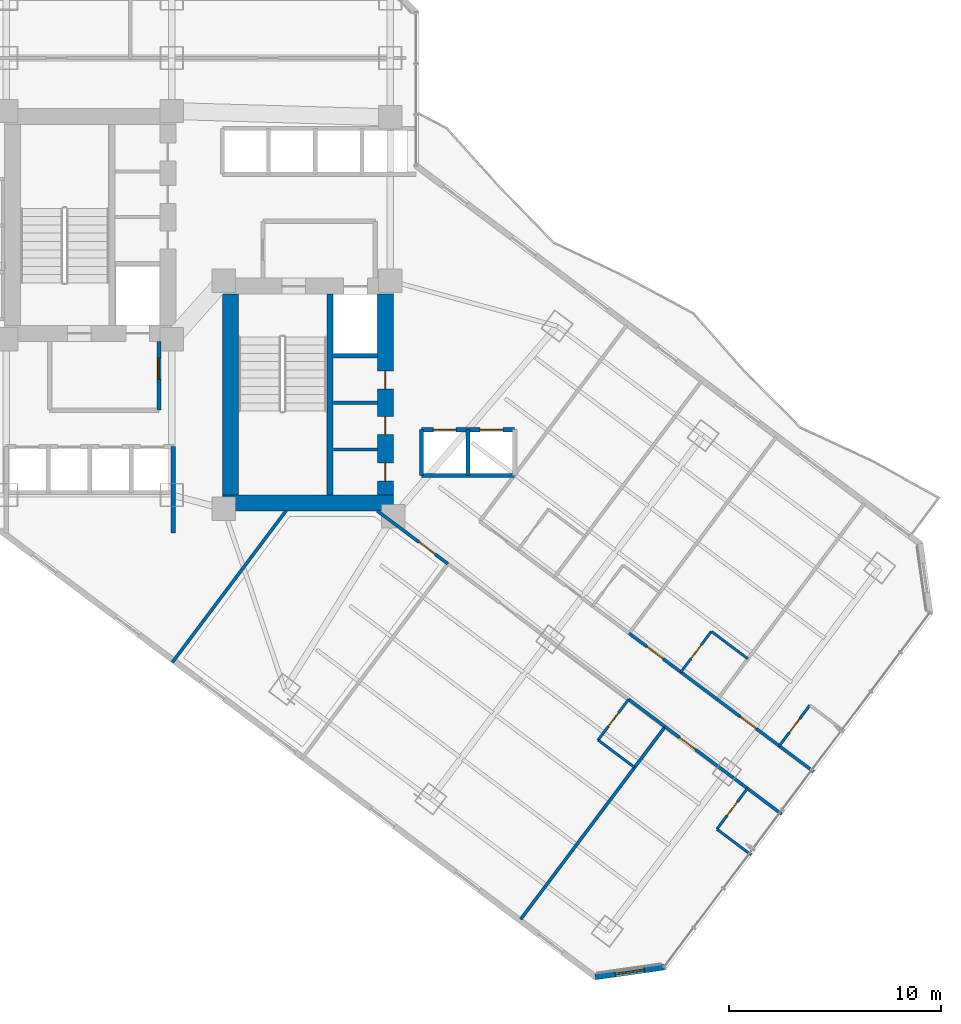
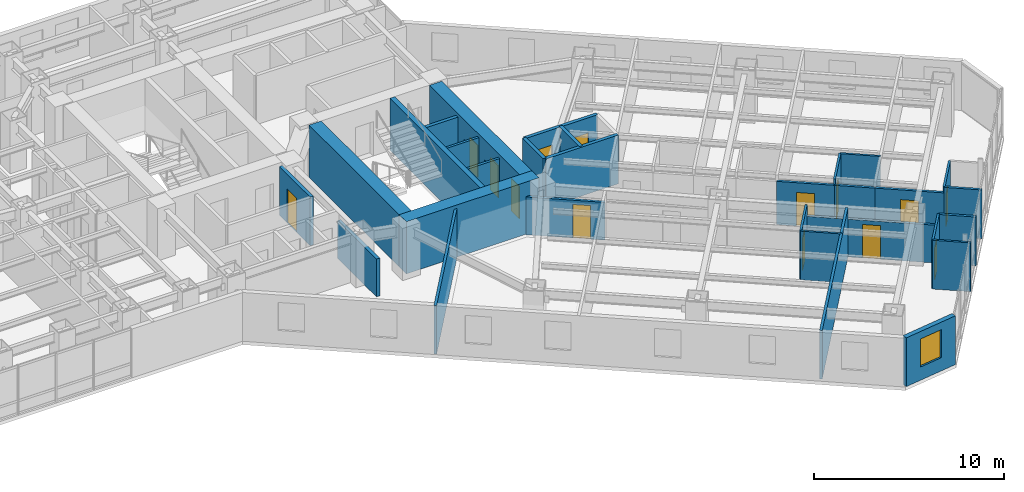
# One storey, part 24 of 38: 31 walls, 14 doors, 1 window, 15 openings.
"""IFC4 building model written with IfcOpenShell, lengths in metres."""

from ifc_helpers import new_model, si_unit, direction, frame, frame_2d, origin, place, context, subcontext, project, spatial, rectangle, extrude, material, layer, layer_set, type_object, element, fill, save


model = new_model("IFC4")

# Units and contexts
model_context = context("Model", 3, precision=1e-05, world=origin(), true_north=direction((0.0, 1.0)))
body_context = subcontext(model_context, "Body", "Model", "MODEL_VIEW")
ifc_project = project(units=[si_unit("LENGTHUNIT", "METRE"), si_unit("AREAUNIT", "SQUARE_METRE"), si_unit("VOLUMEUNIT", "CUBIC_METRE"), si_unit("PLANEANGLEUNIT", "RADIAN"), si_unit("MASSUNIT", "GRAM", prefix="KILO")], contexts=[model_context])

# Site, building, storey
site_placement = place(None, origin())
site = spatial("IfcSite", under=ifc_project, at=site_placement, CompositionType="ELEMENT")
building_placement = place(site_placement, origin())
building = spatial("IfcBuilding", under=site, at=building_placement, Name="Hatsunagi Terrace Concourse", CompositionType="ELEMENT")
storey_placement = place(building_placement, frame((0.0, 0.0, 60.050048828125)))
storey = spatial("IfcBuildingStorey", under=building, at=storey_placement, Name="L15", CompositionType="ELEMENT", Elevation=60.050048828125)

# Walls
ifc_material_1 = material(Name="Concrete Fc60", Category="concrete")
ifc_layer_1 = layer(ifc_material_1, 0.75)
ifc_layer_set_1 = layer_set([ifc_layer_1], Name="CoreShearWall_Fc60_750")
wall_type_1 = type_object("IfcWallType", Name="CoreShearWall_Fc60_750", PredefinedType="SHEAR", material=ifc_layer_set_1)
wall_1_placement = place(storey_placement, frame((35.739990234375, 24.81494140625, 0.0), z_axis=(0.0, 0.0, 1.0), x_axis=(1.0, 0.0, 0.0)))
element("IfcWall", 1, at=wall_1_placement, inside=storey, type_object=wall_type_1, Name="Core B Shear Wall S L15", PredefinedType="SHEAR", context=body_context, shape_type="SweptSolid", body=[
    extrude(rectangle(XDim=8.06005859375, YDim=0.75, at=frame_2d((4.030029296875, 0.0))), origin(), (0.0, 0.0, 1.0), 3.349853515625),
])
wall_2_placement = place(storey_placement, frame((36.114990234375, 25.18994140625, 0.0), z_axis=(0.0, 0.0, 1.0), x_axis=(0.0, 1.0, 0.0)))
element("IfcWall", 2, at=wall_2_placement, inside=storey, type_object=wall_type_1, Name="Core B Shear Wall W L15", PredefinedType="SHEAR", context=body_context, shape_type="SweptSolid", body=[
    extrude(rectangle(XDim=9.47998046875, YDim=0.75, at=frame_2d((4.739990234375, 0.0))), origin(), (0.0, 0.0, 1.0), 3.349853515625),
])

# Wall, openings, doors
wall_3_placement = place(storey_placement, frame((43.425048828125, 25.18994140625, 0.0), z_axis=(0.0, 0.0, 1.0), x_axis=(0.0, 1.0, 0.0)))
wall_3 = element("IfcWall", 3, at=wall_3_placement, inside=storey, type_object=wall_type_1, Name="Core B Shear Wall E L15", PredefinedType="SHEAR", context=body_context, shape_type="SweptSolid", body=[
    extrude(rectangle(XDim=9.47998046875, YDim=0.75, at=frame_2d((4.739990234375, 0.0))), origin(), (0.0, 0.0, 1.0), 3.349853515625),
])
opening_1_placement = place(wall_3_placement, frame((0.659912109375, 0.0, 0.0)))
opening_1 = element("IfcOpeningElement", 4, at=opening_1_placement, cuts=wall_3, Name="Opening DR-085", PredefinedType="OPENING", context=body_context, shape_type="SweptSolid", body=[
    extrude(rectangle(XDim=0.85009765625, YDim=2.080078125, at=frame_2d((0.425048828125, 1.0400390625))), frame((0.0, 0.385009765625, 0.0), z_axis=(0.0, -1.0, 0.0), x_axis=(1.0, 0.0, 0.0)), (0.0, 0.0, 1.0), 0.77001953125),
])
opening_2_placement = place(wall_3_placement, frame((2.860107421875, 0.0, 0.0)))
opening_2 = element("IfcOpeningElement", 5, at=opening_2_placement, cuts=wall_3, Name="Opening DR-085", PredefinedType="OPENING", context=body_context, shape_type="SweptSolid", body=[
    extrude(rectangle(XDim=0.85009765625, YDim=2.080078125, at=frame_2d((0.425048828125, 1.0400390625))), frame((0.0, 0.385009765625, 0.0), z_axis=(0.0, -1.0, 0.0), x_axis=(1.0, 0.0, 0.0)), (0.0, 0.0, 1.0), 0.77001953125),
])
opening_3_placement = place(wall_3_placement, frame((5.010009765625, 0.0, 0.0)))
opening_3 = element("IfcOpeningElement", 6, at=opening_3_placement, cuts=wall_3, Name="Opening DR-085", PredefinedType="OPENING", context=body_context, shape_type="SweptSolid", body=[
    extrude(rectangle(XDim=0.85009765625, YDim=2.080078125, at=frame_2d((0.425048828125, 1.0400390625))), frame((0.0, 0.385009765625, 0.0), z_axis=(0.0, -1.0, 0.0), x_axis=(1.0, 0.0, 0.0)), (0.0, 0.0, 1.0), 0.77001953125),
])
ifc_material_2 = material(Name="Painted steel", Category="steel")
door_type_1 = type_object("IfcDoorType", Name="RiserAccessDoor_EI60_850", OperationType="NOTDEFINED", PredefinedType="DOOR", material=ifc_material_2)
door_1_placement = place(opening_1_placement, origin())
door_1 = element("IfcDoor", 7, at=door_1_placement, inside=storey, type_object=door_type_1, Name="Core B Riser Door L15-1", OperationType="SINGLE_SWING_RIGHT", OverallHeight=2.080078125, OverallWidth=0.85009765625, PredefinedType="DOOR", context=body_context, shape_type="SweptSolid", body=[
    extrude(rectangle(XDim=0.85009765625, YDim=2.080078125, at=frame_2d((0.425048828125, 1.0400390625))), frame((0.0, 0.02490234375, 0.0), z_axis=(0.0, -1.0, 0.0), x_axis=(1.0, 0.0, 0.0)), (0.0, 0.0, 1.0), 0.050048828125),
])
fill(opening_1, door_1)
door_2_placement = place(opening_2_placement, origin())
door_2 = element("IfcDoor", 8, at=door_2_placement, inside=storey, type_object=door_type_1, Name="Core B Riser Door L15-2", OperationType="SINGLE_SWING_RIGHT", OverallHeight=2.080078125, OverallWidth=0.85009765625, PredefinedType="DOOR", context=body_context, shape_type="SweptSolid", body=[
    extrude(rectangle(XDim=0.85009765625, YDim=2.080078125, at=frame_2d((0.425048828125, 1.0400390625))), frame((0.0, 0.02490234375, 0.0), z_axis=(0.0, -1.0, 0.0), x_axis=(1.0, 0.0, 0.0)), (0.0, 0.0, 1.0), 0.050048828125),
])
fill(opening_2, door_2)
door_3_placement = place(opening_3_placement, origin())
door_3 = element("IfcDoor", 9, at=door_3_placement, inside=storey, type_object=door_type_1, Name="Core B Riser Door L15-3", OperationType="SINGLE_SWING_RIGHT", OverallHeight=2.080078125, OverallWidth=0.85009765625, PredefinedType="DOOR", context=body_context, shape_type="SweptSolid", body=[
    extrude(rectangle(XDim=0.85009765625, YDim=2.080078125, at=frame_2d((0.425048828125, 1.0400390625))), frame((0.0, 0.02490234375, 0.0), z_axis=(0.0, -1.0, 0.0), x_axis=(1.0, 0.0, 0.0)), (0.0, 0.0, 1.0), 0.050048828125),
])
fill(opening_3, door_3)

# Wall
ifc_material_3 = material(Name="Concrete Fc48", Category="concrete")
ifc_layer_2 = layer(ifc_material_3, 0.300048828125)
ifc_layer_set_2 = layer_set([ifc_layer_2], Name="CoreStairDivider_Fc48_300")
wall_type_2 = type_object("IfcWallType", Name="CoreStairDivider_Fc48_300", PredefinedType="SHEAR", material=ifc_layer_set_2)
wall_4_placement = place(storey_placement, frame((40.81005859375, 25.18994140625, 0.0), z_axis=(0.0, 0.0, 1.0), x_axis=(0.0, 1.0, 0.0)))
element("IfcWall", 10, at=wall_4_placement, inside=storey, type_object=wall_type_2, Name="Core B Shear Wall D L15", PredefinedType="SHEAR", context=body_context, shape_type="SweptSolid", body=[
    extrude(rectangle(XDim=9.47998046875, YDim=0.300048828125, at=frame_2d((4.739990234375, 0.0))), origin(), (0.0, 0.0, 1.0), 3.349853515625),
])

# Wall, opening, door
ifc_material_4 = material(Name="Acoustic mineral board", Category="gypsum")
ifc_layer_3 = layer(ifc_material_4, 0.1201171875)
ifc_layer_set_3 = layer_set([ifc_layer_3], Name="PartitionWall_EI30_120")
wall_type_3 = type_object("IfcWallType", Name="PartitionWall_EI30_120", PredefinedType="PARTITIONING", material=ifc_layer_set_3)
wall_5_placement = place(storey_placement, frame((57.35009765625, 16.85009765625, 0.0), z_axis=(0.0, 0.0, 1.0), x_axis=(0.6, 0.8, 0.0)))
wall_5 = element("IfcWall", 11, at=wall_5_placement, inside=storey, type_object=wall_type_3, Name="Interior Partition IW-L15-096", PredefinedType="PARTITIONING", context=body_context, shape_type="SweptSolid", body=[
    extrude(rectangle(XDim=2.39990234375, YDim=0.1201171875, at=frame_2d((1.199951171875, 0.0))), origin(), (0.0, 0.0, 1.0), 3.1298828125),
])
opening_4_placement = place(wall_5_placement, frame((0.800048828125, 0.0, 0.0)))
opening_4 = element("IfcOpeningElement", 12, at=opening_4_placement, cuts=wall_5, Name="Opening DR-080", PredefinedType="OPENING", context=body_context, shape_type="SweptSolid", body=[
    extrude(rectangle(XDim=0.800048828125, YDim=2.06005859375, at=frame_2d((0.39990234375, 1.030029296875))), frame((0.0, 0.070068359375, 0.0), z_axis=(0.0, -1.0, 0.0), x_axis=(1.0, 0.0, 0.0)), (0.0, 0.0, 1.0), 0.14013671875),
])
ifc_material_5 = material(Name="Hardwood timber", Category="wood")
door_type_2 = type_object("IfcDoorType", Name="BathroomDoor_800", OperationType="NOTDEFINED", PredefinedType="DOOR", material=ifc_material_5)
door_4_placement = place(opening_4_placement, origin())
door_4 = element("IfcDoor", 13, at=door_4_placement, inside=storey, type_object=door_type_2, Name="En-Suite Bathroom L15-SENE3 Door", OperationType="SINGLE_SWING_LEFT", OverallHeight=2.06005859375, OverallWidth=0.800048828125, PredefinedType="DOOR", context=body_context, shape_type="SweptSolid", body=[
    extrude(rectangle(XDim=0.800048828125, YDim=2.06005859375, at=frame_2d((0.39990234375, 1.030029296875))), frame((0.0, 0.02490234375, 0.0), z_axis=(0.0, -1.0, 0.0), x_axis=(1.0, 0.0, 0.0)), (0.0, 0.0, 1.0), 0.050048828125),
])
fill(opening_4, door_4)

# Wall
wall_6_placement = place(storey_placement, frame((58.7900390625, 18.77001953125, 0.0), z_axis=(0.0, 0.0, 1.0), x_axis=(0.79998637334, -0.60001816845, 0.0)))
element("IfcWall", 14, at=wall_6_placement, inside=storey, type_object=wall_type_3, Name="Interior Partition IW-L15-097", PredefinedType="PARTITIONING", context=body_context, shape_type="SweptSolid", body=[
    extrude(rectangle(XDim=2.14990234375, YDim=0.1201171875, at=frame_2d((1.074951171875, 0.0))), origin(), (0.0, 0.0, 1.0), 3.1298828125),
])

# Wall, opening, door
wall_7_placement = place(storey_placement, frame((61.989990234375, 13.3701171875, 0.0), z_axis=(0.0, 0.0, 1.0), x_axis=(0.6, 0.8, 0.0)))
wall_7 = element("IfcWall", 15, at=wall_7_placement, inside=storey, type_object=wall_type_3, Name="Interior Partition IW-L15-101", PredefinedType="PARTITIONING", context=body_context, shape_type="SweptSolid", body=[
    extrude(rectangle(XDim=2.39990234375, YDim=0.1201171875, at=frame_2d((1.199951171875, 0.0))), origin(), (0.0, 0.0, 1.0), 3.1298828125),
])
opening_5_placement = place(wall_7_placement, frame((0.800048828125, 0.0, 0.0)))
opening_5 = element("IfcOpeningElement", 16, at=opening_5_placement, cuts=wall_7, Name="Opening DR-080", PredefinedType="OPENING", context=body_context, shape_type="SweptSolid", body=[
    extrude(rectangle(XDim=0.800048828125, YDim=2.06005859375, at=frame_2d((0.39990234375, 1.030029296875))), frame((0.0, 0.070068359375, 0.0), z_axis=(0.0, -1.0, 0.0), x_axis=(1.0, 0.0, 0.0)), (0.0, 0.0, 1.0), 0.14013671875),
])
door_5_placement = place(opening_5_placement, origin())
door_5 = element("IfcDoor", 17, at=door_5_placement, inside=storey, type_object=door_type_2, Name="En-Suite Bathroom L15-SENE4 Door", OperationType="SINGLE_SWING_RIGHT", OverallHeight=2.06005859375, OverallWidth=0.800048828125, PredefinedType="DOOR", context=body_context, shape_type="SweptSolid", body=[
    extrude(rectangle(XDim=0.800048828125, YDim=2.06005859375, at=frame_2d((0.39990234375, 1.030029296875))), frame((0.0, 0.02490234375, 0.0), z_axis=(0.0, -1.0, 0.0), x_axis=(1.0, 0.0, 0.0)), (0.0, 0.0, 1.0), 0.050048828125),
])
fill(opening_5, door_5)

wall_8_placement = place(storey_placement, frame((53.449951171875, 13.64990234375, 0.0), z_axis=(0.0, 0.0, 1.0), x_axis=(0.599951172744, 0.800036618114, 0.0)))
wall_8 = element("IfcWall", 18, at=wall_8_placement, inside=storey, type_object=wall_type_3, Name="Interior Partition IW-L15-105", PredefinedType="PARTITIONING", context=body_context, shape_type="SweptSolid", body=[
    extrude(rectangle(XDim=2.400146484375, YDim=0.1201171875, at=frame_2d((1.2001953125, 0.0))), origin(), (0.0, 0.0, 1.0), 3.1298828125),
])
opening_6_placement = place(wall_8_placement, frame((0.800048828125, 0.0, 0.0)))
opening_6 = element("IfcOpeningElement", 19, at=opening_6_placement, cuts=wall_8, Name="Opening DR-080", PredefinedType="OPENING", context=body_context, shape_type="SweptSolid", body=[
    extrude(rectangle(XDim=0.800048828125, YDim=2.06005859375, at=frame_2d((0.39990234375, 1.030029296875))), frame((0.0, 0.070068359375, 0.0), z_axis=(0.0, -1.0, 0.0), x_axis=(1.0, 0.0, 0.0)), (0.0, 0.0, 1.0), 0.14013671875),
])
door_6_placement = place(opening_6_placement, origin())
door_6 = element("IfcDoor", 20, at=door_6_placement, inside=storey, type_object=door_type_2, Name="En-Suite Bathroom L15-SESW1 Door", OperationType="SINGLE_SWING_RIGHT", OverallHeight=2.06005859375, OverallWidth=0.800048828125, PredefinedType="DOOR", context=body_context, shape_type="SweptSolid", body=[
    extrude(rectangle(XDim=0.800048828125, YDim=2.06005859375, at=frame_2d((0.39990234375, 1.030029296875))), frame((0.0, 0.02490234375, 0.0), z_axis=(0.0, -1.0, 0.0), x_axis=(1.0, 0.0, 0.0)), (0.0, 0.0, 1.0), 0.050048828125),
])
fill(opening_6, door_6)

# Wall
wall_9_placement = place(storey_placement, frame((53.449951171875, 13.64990234375, 0.0), z_axis=(0.0, 0.0, 1.0), x_axis=(0.800040880289, -0.59994548908, 0.0)))
element("IfcWall", 21, at=wall_9_placement, inside=storey, type_object=wall_type_3, Name="Interior Partition IW-L15-106", PredefinedType="PARTITIONING", context=body_context, shape_type="SweptSolid", body=[
    extrude(rectangle(XDim=2.14990234375, YDim=0.1201171875, at=frame_2d((1.074951171875, 0.0))), origin(), (0.0, 0.0, 1.0), 3.1298828125),
])

# Wall, opening, door
wall_10_placement = place(storey_placement, frame((59.050048828125, 9.449951171875, 0.0), z_axis=(0.0, 0.0, 1.0), x_axis=(0.599951172744, 0.800036618114, 0.0)))
wall_10 = element("IfcWall", 22, at=wall_10_placement, inside=storey, type_object=wall_type_3, Name="Interior Partition IW-L15-110", PredefinedType="PARTITIONING", context=body_context, shape_type="SweptSolid", body=[
    extrude(rectangle(XDim=2.400146484375, YDim=0.1201171875, at=frame_2d((1.2001953125, 0.0))), origin(), (0.0, 0.0, 1.0), 3.1298828125),
])
opening_7_placement = place(wall_10_placement, frame((0.800048828125, 0.0, 0.0)))
opening_7 = element("IfcOpeningElement", 23, at=opening_7_placement, cuts=wall_10, Name="Opening DR-080", PredefinedType="OPENING", context=body_context, shape_type="SweptSolid", body=[
    extrude(rectangle(XDim=0.800048828125, YDim=2.06005859375, at=frame_2d((0.39990234375, 1.030029296875))), frame((0.0, 0.070068359375, 0.0), z_axis=(0.0, -1.0, 0.0), x_axis=(1.0, 0.0, 0.0)), (0.0, 0.0, 1.0), 0.14013671875),
])
door_7_placement = place(opening_7_placement, origin())
door_7 = element("IfcDoor", 24, at=door_7_placement, inside=storey, type_object=door_type_2, Name="En-Suite Bathroom L15-SESW2 Door", OperationType="SINGLE_SWING_RIGHT", OverallHeight=2.06005859375, OverallWidth=0.800048828125, PredefinedType="DOOR", context=body_context, shape_type="SweptSolid", body=[
    extrude(rectangle(XDim=0.800048828125, YDim=2.06005859375, at=frame_2d((0.39990234375, 1.030029296875))), frame((0.0, 0.02490234375, 0.0), z_axis=(0.0, -1.0, 0.0), x_axis=(1.0, 0.0, 0.0)), (0.0, 0.0, 1.0), 0.050048828125),
])
fill(opening_7, door_7)

# Walls
wall_11_placement = place(storey_placement, frame((59.050048828125, 9.449951171875, 0.0), z_axis=(0.0, 0.0, 1.0), x_axis=(0.79997084737, -0.600038868206, 0.0)))
element("IfcWall", 25, at=wall_11_placement, inside=storey, type_object=wall_type_3, Name="Interior Partition IW-L15-111", PredefinedType="PARTITIONING", context=body_context, shape_type="SweptSolid", body=[
    extrude(rectangle(XDim=2.010009765625, YDim=0.1201171875, at=frame_2d((1.0048828125, 0.0))), origin(), (0.0, 0.0, 1.0), 3.1298828125),
])
ifc_material_6 = material(Name="Acoustic mineral board", Category="gypsum")
ifc_layer_4 = layer(ifc_material_6, 0.14990234375)
ifc_layer_set_4 = layer_set([ifc_layer_4], Name="PartitionWall_EI60_150")
wall_type_4 = type_object("IfcWallType", Name="PartitionWall_EI60_150", PredefinedType="PARTITIONING", material=ifc_layer_set_4)
for number, where, z_axis, x_axis, name in (
    (26, (40.969970703125, 27.35009765625, 0.0), (0.0, 0.0, 1.0), (1.0, 0.0, 0.0), "Interior Partition IW-L15-005"),
    (27, (40.969970703125, 29.550048828125, 0.0), (0.0, 0.0, 1.0), (1.0, 0.0, 0.0), "Interior Partition IW-L15-006"),
):
    element("IfcWall", number, at=place(storey_placement, frame(where, z_axis=z_axis, x_axis=x_axis)), inside=storey, type_object=wall_type_4, Name=name, PredefinedType="PARTITIONING", context=body_context, shape_type="SweptSolid", body=[
        extrude(rectangle(XDim=2.080078125, YDim=0.14990234375, at=frame_2d((1.0400390625, 0.0))), origin(), (0.0, 0.0, 1.0), 3.1298828125),
    ])

# Wall, opening, door
wall_12_placement = place(storey_placement, frame((43.037109375, 24.4599609375, 0.0), z_axis=(0.0, 0.0, 1.0), x_axis=(0.799971872363, -0.600037501685, 0.0)))
wall_12 = element("IfcWall", 28, at=wall_12_placement, inside=storey, type_object=wall_type_4, Name="Interior Partition IW-L15-043", PredefinedType="PARTITIONING", context=body_context, shape_type="SweptSolid", body=[
    extrude(rectangle(XDim=4.16650390625, YDim=0.14990234375, at=frame_2d((2.083251953125, 0.0))), origin(), (0.0, 0.0, 1.0), 2.425048828125),
])
opening_8_placement = place(wall_12_placement, frame((2.468017578125, 0.0, 0.0)))
opening_8 = element("IfcOpeningElement", 29, at=opening_8_placement, cuts=wall_12, Name="Opening DR-095", PredefinedType="OPENING", context=body_context, shape_type="SweptSolid", body=[
    extrude(rectangle(XDim=0.949951171875, YDim=2.14990234375, at=frame_2d((0.47509765625, 1.074951171875))), frame((0.0, 0.0849609375, 0.0), z_axis=(0.0, -1.0, 0.0), x_axis=(1.0, 0.0, 0.0)), (0.0, 0.0, 1.0), 0.169921875),
])
ifc_material_7 = material(Name="Hardwood timber", Category="wood")
door_type_3 = type_object("IfcDoorType", Name="InteriorSuiteDoor_EI30_950", OperationType="NOTDEFINED", PredefinedType="DOOR", material=ifc_material_7)
door_8_placement = place(opening_8_placement, origin())
door_8 = element("IfcDoor", 30, at=door_8_placement, inside=storey, type_object=door_type_3, Name="Meeting Room L15-HMTG Door", OperationType="SINGLE_SWING_RIGHT", OverallHeight=2.14990234375, OverallWidth=0.949951171875, PredefinedType="DOOR", context=body_context, shape_type="SweptSolid", body=[
    extrude(rectangle(XDim=0.949951171875, YDim=2.14990234375, at=frame_2d((0.47509765625, 1.074951171875))), frame((0.0, 0.02490234375, 0.0), z_axis=(0.0, -1.0, 0.0), x_axis=(1.0, 0.0, 0.0)), (0.0, 0.0, 1.0), 0.050048828125),
])
fill(opening_8, door_8)

# Wall
wall_13_placement = place(storey_placement, frame((33.384033203125, 17.31201171875, 0.0), z_axis=(0.0, 0.0, 1.0), x_axis=(0.600008743659, 0.799993442181, 0.0)))
element("IfcWall", 31, at=wall_13_placement, inside=storey, type_object=wall_type_4, Name="Interior Partition IW-L15-044", PredefinedType="PARTITIONING", context=body_context, shape_type="SweptSolid", body=[
    extrude(rectangle(XDim=8.93505859375, YDim=0.14990234375, at=frame_2d((4.467529296875, 0.0))), origin(), (0.0, 0.0, 1.0), 3.1298828125),
])

# Wall, opening, door
wall_14_placement = place(storey_placement, frame((54.909912109375, 18.679931640625, 0.0), z_axis=(0.0, 0.0, 1.0), x_axis=(0.800048024332, -0.599935962218, 0.0)))
wall_14 = element("IfcWall", 32, at=wall_14_placement, inside=storey, type_object=wall_type_4, Name="Interior Partition IW-L15-094", PredefinedType="PARTITIONING", context=body_context, shape_type="SweptSolid", body=[
    extrude(rectangle(XDim=3.050048828125, YDim=0.14990234375, at=frame_2d((1.52490234375, 0.0))), origin(), (0.0, 0.0, 1.0), 2.77490234375),
])
opening_9_placement = place(wall_14_placement, frame((1.050048828125, 0.0, 0.0)))
opening_9 = element("IfcOpeningElement", 33, at=opening_9_placement, cuts=wall_14, Name="Opening DR-095", PredefinedType="OPENING", context=body_context, shape_type="SweptSolid", body=[
    extrude(rectangle(XDim=0.949951171875, YDim=2.14990234375, at=frame_2d((0.47509765625, 1.074951171875))), frame((0.0, 0.0849609375, 0.0), z_axis=(0.0, -1.0, 0.0), x_axis=(1.0, 0.0, 0.0)), (0.0, 0.0, 1.0), 0.169921875),
])
door_9_placement = place(opening_9_placement, origin())
door_9 = element("IfcDoor", 34, at=door_9_placement, inside=storey, type_object=door_type_3, Name="Hotel Guest Room L15-SENE3 Door", OperationType="SINGLE_SWING_LEFT", OverallHeight=2.14990234375, OverallWidth=0.949951171875, PredefinedType="DOOR", context=body_context, shape_type="SweptSolid", body=[
    extrude(rectangle(XDim=0.949951171875, YDim=2.14990234375, at=frame_2d((0.47509765625, 1.074951171875))), frame((0.0, 0.02490234375, 0.0), z_axis=(0.0, -1.0, 0.0), x_axis=(1.0, 0.0, 0.0)), (0.0, 0.0, 1.0), 0.050048828125),
])
fill(opening_9, door_9)

# Wall
wall_15_placement = place(storey_placement, frame((57.35009765625, 16.85009765625, 0.0), z_axis=(0.0, 0.0, 1.0), x_axis=(0.79998637334, -0.60001816845, 0.0)))
element("IfcWall", 35, at=wall_15_placement, inside=storey, type_object=wall_type_4, Name="Interior Partition IW-L15-095", PredefinedType="PARTITIONING", context=body_context, shape_type="SweptSolid", body=[
    extrude(rectangle(XDim=2.14990234375, YDim=0.14990234375, at=frame_2d((1.074951171875, 0.0))), origin(), (0.0, 0.0, 1.0), 2.77490234375),
])

# Wall, opening, door
wall_16_placement = place(storey_placement, frame((59.070068359375, 15.56005859375, 0.0), z_axis=(0.0, 0.0, 1.0), x_axis=(0.8, -0.6, 0.0)))
wall_16 = element("IfcWall", 36, at=wall_16_placement, inside=storey, type_object=wall_type_4, Name="Interior Partition IW-L15-099", PredefinedType="PARTITIONING", context=body_context, shape_type="SweptSolid", body=[
    extrude(rectangle(XDim=3.64990234375, YDim=0.14990234375, at=frame_2d((1.824951171875, 0.0))), origin(), (0.0, 0.0, 1.0), 2.77490234375),
])
opening_10_placement = place(wall_16_placement, frame((1.35009765625, 0.0, 0.0)))
opening_10 = element("IfcOpeningElement", 37, at=opening_10_placement, cuts=wall_16, Name="Opening DR-095", PredefinedType="OPENING", context=body_context, shape_type="SweptSolid", body=[
    extrude(rectangle(XDim=0.949951171875, YDim=2.14990234375, at=frame_2d((0.47509765625, 1.074951171875))), frame((0.0, 0.0849609375, 0.0), z_axis=(0.0, -1.0, 0.0), x_axis=(1.0, 0.0, 0.0)), (0.0, 0.0, 1.0), 0.169921875),
])
door_10_placement = place(opening_10_placement, origin())
door_10 = element("IfcDoor", 38, at=door_10_placement, inside=storey, type_object=door_type_3, Name="Hotel Guest Room L15-SENE4 Door", OperationType="SINGLE_SWING_LEFT", OverallHeight=2.14990234375, OverallWidth=0.949951171875, PredefinedType="DOOR", context=body_context, shape_type="SweptSolid", body=[
    extrude(rectangle(XDim=0.949951171875, YDim=2.14990234375, at=frame_2d((0.47509765625, 1.074951171875))), frame((0.0, 0.02490234375, 0.0), z_axis=(0.0, -1.0, 0.0), x_axis=(1.0, 0.0, 0.0)), (0.0, 0.0, 1.0), 0.050048828125),
])
fill(opening_10, door_10)

# Walls
wall_17_placement = place(storey_placement, frame((61.989990234375, 13.3701171875, 0.0), z_axis=(0.0, 0.0, 1.0), x_axis=(0.79997084737, -0.600038868206, 0.0)))
element("IfcWall", 39, at=wall_17_placement, inside=storey, type_object=wall_type_4, Name="Interior Partition IW-L15-100", PredefinedType="PARTITIONING", context=body_context, shape_type="SweptSolid", body=[
    extrude(rectangle(XDim=2.010009765625, YDim=0.14990234375, at=frame_2d((1.0048828125, 0.0))), origin(), (0.0, 0.0, 1.0), 3.1298828125),
])
wall_18_placement = place(storey_placement, frame((54.889892578125, 15.570068359375, 0.0), z_axis=(0.0, 0.0, 1.0), x_axis=(0.800027249606, -0.599963665473, 0.0)))
element("IfcWall", 40, at=wall_18_placement, inside=storey, type_object=wall_type_4, Name="Interior Partition IW-L15-104", PredefinedType="PARTITIONING", context=body_context, shape_type="SweptSolid", body=[
    extrude(rectangle(XDim=2.150146484375, YDim=0.14990234375, at=frame_2d((1.0751953125, 0.0))), origin(), (0.0, 0.0, 1.0), 2.425048828125),
])
wall_19_placement = place(storey_placement, frame((49.800048828125, 5.199951171875, 0.0), z_axis=(0.0, 0.0, 1.0), x_axis=(0.6, 0.8, 0.0)))
element("IfcWall", 41, at=wall_19_placement, inside=storey, type_object=wall_type_4, Name="Interior Partition IW-L15-107", PredefinedType="PARTITIONING", context=body_context, shape_type="SweptSolid", body=[
    extrude(rectangle(XDim=11.35009765625, YDim=0.14990234375, at=frame_2d((5.675048828125, 0.0))), origin(), (0.0, 0.0, 1.0), 3.1298828125),
])

# Wall, opening, door
wall_20_placement = place(storey_placement, frame((56.610107421875, 14.280029296875, 0.0), z_axis=(0.0, 0.0, 1.0), x_axis=(0.8, -0.6, 0.0)))
wall_20 = element("IfcWall", 42, at=wall_20_placement, inside=storey, type_object=wall_type_4, Name="Interior Partition IW-L15-108", PredefinedType="PARTITIONING", context=body_context, shape_type="SweptSolid", body=[
    extrude(rectangle(XDim=4.849853515625, YDim=0.14990234375, at=frame_2d((2.4248046875, 0.0))), origin(), (0.0, 0.0, 1.0), 2.425048828125),
])
opening_11_placement = place(wall_20_placement, frame((0.85107421875, 0.0, 0.0)))
opening_11 = element("IfcOpeningElement", 43, at=opening_11_placement, cuts=wall_20, Name="Opening DR-095", PredefinedType="OPENING", context=body_context, shape_type="SweptSolid", body=[
    extrude(rectangle(XDim=0.949951171875, YDim=2.14990234375, at=frame_2d((0.47509765625, 1.074951171875))), frame((0.0, 0.0849609375, 0.0), z_axis=(0.0, -1.0, 0.0), x_axis=(1.0, 0.0, 0.0)), (0.0, 0.0, 1.0), 0.169921875),
])
door_11_placement = place(opening_11_placement, origin())
door_11 = element("IfcDoor", 44, at=door_11_placement, inside=storey, type_object=door_type_3, Name="Corner Hotel Suite L15-SESW2 Door", OperationType="SINGLE_SWING_RIGHT", OverallHeight=2.14990234375, OverallWidth=0.949951171875, PredefinedType="DOOR", context=body_context, shape_type="SweptSolid", body=[
    extrude(rectangle(XDim=0.949951171875, YDim=2.14990234375, at=frame_2d((0.47509765625, 1.074951171875))), frame((0.0, 0.02490234375, 0.0), z_axis=(0.0, -1.0, 0.0), x_axis=(1.0, 0.0, 0.0)), (0.0, 0.0, 1.0), 0.050048828125),
])
fill(opening_11, door_11)

# Walls
wall_21_placement = place(storey_placement, frame((60.489990234375, 11.3701171875, 0.0), z_axis=(0.0, 0.0, 1.0), x_axis=(0.79997084737, -0.600038868206, 0.0)))
element("IfcWall", 45, at=wall_21_placement, inside=storey, type_object=wall_type_4, Name="Interior Partition IW-L15-109", PredefinedType="PARTITIONING", context=body_context, shape_type="SweptSolid", body=[
    extrude(rectangle(XDim=2.010009765625, YDim=0.14990234375, at=frame_2d((1.0048828125, 0.0))), origin(), (0.0, 0.0, 1.0), 3.1298828125),
])
ifc_material_8 = material(Name="Acoustic mineral board", Category="gypsum")
ifc_layer_5 = layer(ifc_material_8, 0.199951171875)
ifc_layer_set_5 = layer_set([ifc_layer_5], Name="ShaftWall_EI120_200")
wall_type_5 = type_object("IfcWallType", Name="ShaftWall_EI120_200", PredefinedType="STANDARD", material=ifc_layer_set_5)
wall_22_placement = place(storey_placement, frame((40.969970703125, 31.760009765625, 0.0), z_axis=(0.0, 0.0, 1.0), x_axis=(1.0, 0.0, 0.0)))
element("IfcWall", 46, at=wall_22_placement, inside=storey, type_object=wall_type_5, Name="Interior Partition IW-L15-004", PredefinedType="STANDARD", context=body_context, shape_type="SweptSolid", body=[
    extrude(rectangle(XDim=2.080078125, YDim=0.199951171875, at=frame_2d((1.0400390625, 0.0))), origin(), (0.0, 0.0, 1.0), 3.1298828125),
])

# Wall, opening, door
wall_23_placement = place(storey_placement, frame((32.75, 29.199951171875, 0.0), z_axis=(0.0, 0.0, 1.0), x_axis=(0.0, 1.0, 0.0)))
wall_23 = element("IfcWall", 47, at=wall_23_placement, inside=storey, type_object=wall_type_5, Name="Interior Partition IW-L15-009", PredefinedType="STANDARD", context=body_context, shape_type="SweptSolid", body=[
    extrude(rectangle(XDim=3.239990234375, YDim=0.199951171875, at=frame_2d((1.6201171875, 0.0))), origin(), (0.0, 0.0, 1.0), 3.1298828125),
])
opening_12_placement = place(wall_23_placement, frame((1.449951171875, 0.0, 0.0)))
opening_12 = element("IfcOpeningElement", 48, at=opening_12_placement, cuts=wall_23, Name="Opening DR-100F", PredefinedType="OPENING", context=body_context, shape_type="SweptSolid", body=[
    extrude(rectangle(XDim=1.0, YDim=2.199951171875, at=frame_2d((0.5, 1.10009765625))), frame((0.0, 0.10986328125, 0.0), z_axis=(0.0, -1.0, 0.0), x_axis=(1.0, 0.0, 0.0)), (0.0, 0.0, 1.0), 0.219970703125),
])
ifc_material_9 = material(Name="Painted steel", Category="steel")
door_type_4 = type_object("IfcDoorType", Name="FireDoor_EI60_1000", OperationType="NOTDEFINED", PredefinedType="DOOR", material=ifc_material_9)
door_12_placement = place(opening_12_placement, origin())
door_12 = element("IfcDoor", 49, at=door_12_placement, inside=storey, type_object=door_type_4, Name="Firefighting Lobby A Door L15", OperationType="SINGLE_SWING_RIGHT", OverallHeight=2.199951171875, OverallWidth=1.0, PredefinedType="DOOR", context=body_context, shape_type="SweptSolid", body=[
    extrude(rectangle(XDim=1.0, YDim=2.199951171875, at=frame_2d((0.5, 1.10009765625))), frame((0.0, 0.02490234375, 0.0), z_axis=(0.0, -1.0, 0.0), x_axis=(1.0, 0.0, 0.0)), (0.0, 0.0, 1.0), 0.050048828125),
])
fill(opening_12, door_12)

# Walls
wall_24_placement = place(storey_placement, frame((33.429931640625, 23.39990234375, 0.0), z_axis=(0.0, 0.0, 1.0), x_axis=(0.0, 1.0, 0.0)))
element("IfcWall", 50, at=wall_24_placement, inside=storey, type_object=wall_type_5, Name="Interior Partition IW-L15-014", PredefinedType="STANDARD", context=body_context, shape_type="SweptSolid", body=[
    extrude(rectangle(XDim=4.080078125, YDim=0.199951171875, at=frame_2d((2.0400390625, 0.0))), origin(), (0.0, 0.0, 1.0), 2.425048828125),
])
wall_25_placement = place(storey_placement, frame((45.1201171875, 26.1201171875, 0.0), z_axis=(0.0, 0.0, 1.0), x_axis=(1.0, 0.0, 0.0)))
element("IfcWall", 51, at=wall_25_placement, inside=storey, type_object=wall_type_5, Name="Interior Partition IW-L15-026", PredefinedType="STANDARD", context=body_context, shape_type="SweptSolid", body=[
    extrude(rectangle(XDim=4.39990234375, YDim=0.199951171875, at=frame_2d((2.199951171875, 0.0))), origin(), (0.0, 0.0, 1.0), 3.1298828125),
])
for number, where, z_axis, x_axis, name in (
    (52, (45.1201171875, 26.1201171875, 0.0), (0.0, 0.0, 1.0), (0.0, 1.0, 0.0), "Interior Partition IW-L15-027"),
    (53, (47.320068359375, 26.1201171875, 0.0), (0.0, 0.0, 1.0), (0.0, 1.0, 0.0), "Interior Partition IW-L15-029"),
):
    element("IfcWall", number, at=place(storey_placement, frame(where, z_axis=z_axis, x_axis=x_axis)), inside=storey, type_object=wall_type_5, Name=name, PredefinedType="STANDARD", context=body_context, shape_type="SweptSolid", body=[
        extrude(rectangle(XDim=2.159912109375, YDim=0.199951171875, at=frame_2d((1.080078125, 0.0))), origin(), (0.0, 0.0, 1.0), 3.1298828125),
    ])

# Wall, openings, doors
wall_26_placement = place(storey_placement, frame((45.1201171875, 28.280029296875, 0.0), z_axis=(0.0, 0.0, 1.0), x_axis=(1.0, 0.0, 0.0)))
wall_26 = element("IfcWall", 54, at=wall_26_placement, inside=storey, type_object=wall_type_5, Name="Interior Partition IW-L15-030", PredefinedType="STANDARD", context=body_context, shape_type="SweptSolid", body=[
    extrude(rectangle(XDim=4.39990234375, YDim=0.199951171875, at=frame_2d((2.199951171875, 0.0))), origin(), (0.0, 0.0, 1.0), 3.1298828125),
])
opening_13_placement = place(wall_26_placement, frame((0.56005859375, 0.0, 0.0)))
opening_13 = element("IfcOpeningElement", 55, at=opening_13_placement, cuts=wall_26, Name="Opening LD-03", PredefinedType="OPENING", context=body_context, shape_type="SweptSolid", body=[
    extrude(rectangle(XDim=1.080078125, YDim=2.14990234375, at=frame_2d((0.5400390625, 1.074951171875))), frame((0.0, 0.10986328125, 0.0), z_axis=(0.0, -1.0, 0.0), x_axis=(1.0, 0.0, 0.0)), (0.0, 0.0, 1.0), 0.219970703125),
])
opening_14_placement = place(wall_26_placement, frame((2.760009765625, 0.0, 0.0)))
opening_14 = element("IfcOpeningElement", 56, at=opening_14_placement, cuts=wall_26, Name="Opening LD-03", PredefinedType="OPENING", context=body_context, shape_type="SweptSolid", body=[
    extrude(rectangle(XDim=1.080078125, YDim=2.14990234375, at=frame_2d((0.5400390625, 1.074951171875))), frame((0.0, 0.10986328125, 0.0), z_axis=(0.0, -1.0, 0.0), x_axis=(1.0, 0.0, 0.0)), (0.0, 0.0, 1.0), 0.219970703125),
])
ifc_material_10 = material(Name="Stainless steel", Category="steel")
door_type_5 = type_object("IfcDoorType", Name="LiftLandingDoor_LD03", OperationType="SLIDING_TO_LEFT", PredefinedType="USERDEFINED", material=ifc_material_10)
door_13_placement = place(opening_13_placement, origin())
door_13 = element("IfcDoor", 57, at=door_13_placement, inside=storey, type_object=door_type_5, Name="Lift landing door PL-09 L15", ObjectType="SLIDING_LANDING_DOOR", OperationType="SLIDING_TO_LEFT", OverallHeight=2.14990234375, OverallWidth=1.080078125, PredefinedType="USERDEFINED", context=body_context, shape_type="SweptSolid", body=[
    extrude(rectangle(XDim=1.080078125, YDim=2.14990234375, at=frame_2d((0.5400390625, 1.074951171875))), frame((0.0, 0.02490234375, 0.0), z_axis=(0.0, -1.0, 0.0), x_axis=(1.0, 0.0, 0.0)), (0.0, 0.0, 1.0), 0.050048828125),
])
fill(opening_13, door_13)
door_14_placement = place(opening_14_placement, origin())
door_14 = element("IfcDoor", 58, at=door_14_placement, inside=storey, type_object=door_type_5, Name="Lift landing door PL-10 L15", ObjectType="SLIDING_LANDING_DOOR", OperationType="SLIDING_TO_LEFT", OverallHeight=2.14990234375, OverallWidth=1.080078125, PredefinedType="USERDEFINED", context=body_context, shape_type="SweptSolid", body=[
    extrude(rectangle(XDim=1.080078125, YDim=2.14990234375, at=frame_2d((0.5400390625, 1.074951171875))), frame((0.0, 0.02490234375, 0.0), z_axis=(0.0, -1.0, 0.0), x_axis=(1.0, 0.0, 0.0)), (0.0, 0.0, 1.0), 0.050048828125),
])
fill(opening_14, door_14)

# Wall, opening, window
ifc_material_11 = material(Name="Autoclaved Lightweight Concrete and Terracotta Cladding", Category="masonry")
ifc_layer_6 = layer(ifc_material_11, 0.280029296875)
ifc_layer_set_6 = layer_set([ifc_layer_6], Name="TerracottaSpandrelWall_280")
wall_type_6 = type_object("IfcWallType", Name="TerracottaSpandrelWall_280", PredefinedType="STANDARD", material=ifc_layer_set_6)
wall_27_placement = place(storey_placement, frame((56.56298828125, 2.949951171875, 0.0), z_axis=(0.0, 0.0, 1.0), x_axis=(-0.989977778067, -0.141223223777, 0.0)))
wall_27 = element("IfcWall", 59, at=wall_27_placement, inside=storey, type_object=wall_type_6, Name="Exterior Spandrel Wall EW-L15-04", PredefinedType="STANDARD", context=body_context, shape_type="SweptSolid", body=[
    extrude(rectangle(XDim=3.27783203125, YDim=0.280029296875, at=frame_2d((1.638916015625, 0.0))), origin(), (0.0, 0.0, 1.0), 3.1298828125),
])
opening_15_placement = place(wall_27_placement, frame((0.93896484375, 0.0, 0.85009765625)))
opening_15 = element("IfcOpeningElement", 60, at=opening_15_placement, cuts=wall_27, Name="Opening WIN-02", PredefinedType="OPENING", context=body_context, shape_type="SweptSolid", body=[
    extrude(rectangle(XDim=1.39990234375, YDim=1.800048828125, at=frame_2d((0.699951171875, 0.89990234375))), frame((0.0, 0.14990234375, 0.0), z_axis=(0.0, -1.0, 0.0), x_axis=(1.0, 0.0, 0.0)), (0.0, 0.0, 1.0), 0.300048828125),
])
ifc_material_12 = material(Name="Thermally Broken Aluminium and Low-E Triple Glazing", Category="aluminium")
window_type = type_object("IfcWindowType", Name="HotelOperableVentWindow_1400x1800", PartitioningType="DOUBLE_PANEL_VERTICAL", PredefinedType="WINDOW", material=ifc_material_12)
window_placement = place(opening_15_placement, origin())
window = element("IfcWindow", 61, at=window_placement, inside=storey, type_object=window_type, Name="Hotel Guestroom Window L15-04-1", OverallHeight=1.800048828125, OverallWidth=1.39990234375, PartitioningType="SINGLE_PANEL", PredefinedType="WINDOW", context=body_context, shape_type="SweptSolid", body=[
    extrude(rectangle(XDim=1.39990234375, YDim=1.800048828125, at=frame_2d((0.699951171875, 0.89990234375))), frame((0.0, 0.030029296875, 0.0), z_axis=(0.0, -1.0, 0.0), x_axis=(1.0, 0.0, 0.0)), (0.0, 0.0, 1.0), 0.06005859375),
])
fill(opening_15, window)

save(model, "model.ifc")
